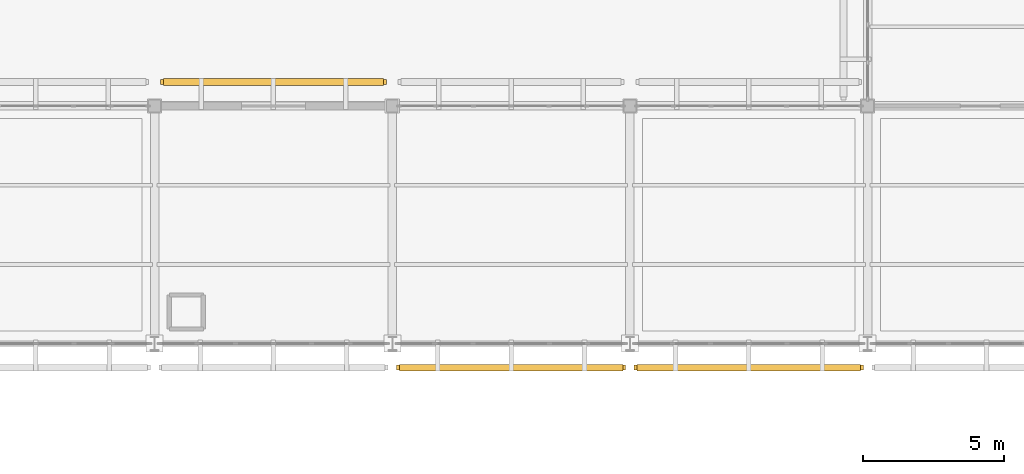
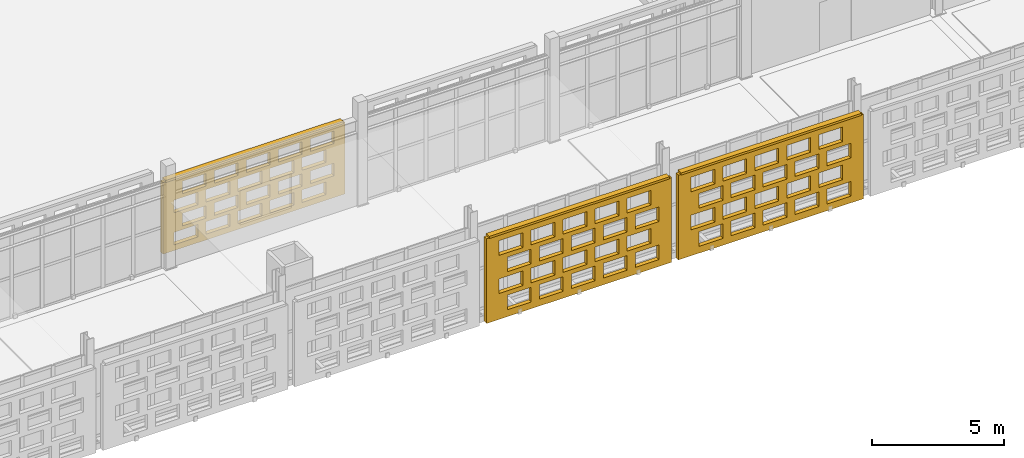
# One storey, part 173 of 203: 3 coverings, 3 shading devices, 60 openings.
"""IFC4 building model written with IfcOpenShell, lengths in metres."""

from ifc_helpers import new_model, si_unit, direction, frame, frame_2d, origin, origin_2d, place, context, subcontext, project, spatial, rectangle, extrude, material, layer, layer_set, type_object, element, save


model = new_model("IFC4")

# Units and contexts
model_context = context("Model", 3, precision=1e-05, world=origin(), true_north=direction((0.0, 1.0)))
body_context = subcontext(model_context, "Body", "Model", "MODEL_VIEW")
ifc_project = project(units=[si_unit("LENGTHUNIT", "METRE"), si_unit("AREAUNIT", "SQUARE_METRE"), si_unit("VOLUMEUNIT", "CUBIC_METRE"), si_unit("PLANEANGLEUNIT", "RADIAN"), si_unit("MASSUNIT", "GRAM", prefix="KILO")], contexts=[model_context])

# Site, building, storey
site_placement = place(None, origin())
site = spatial("IfcSite", under=ifc_project, at=site_placement, CompositionType="ELEMENT")
building_placement = place(site_placement, origin())
building = spatial("IfcBuilding", under=site, at=building_placement, Name="Varnapada Polytechnic", CompositionType="ELEMENT")
storey_placement = place(building_placement, frame((0.0, 0.0, 4.800048828125)))
storey = spatial("IfcBuildingStorey", under=building, at=storey_placement, Name="L01", CompositionType="ELEMENT", Elevation=4.800048828125)

# Covering, openings
ifc_material = material(Name="Earth-toned architectural terracotta screen block", Category="masonry")
ifc_layer_1 = layer(ifc_material, 0.1201171875)
ifc_layer_set_1 = layer_set([ifc_layer_1], Name="Earth-toned architectural terracotta screen block")
covering_type = type_object("IfcCoveringType", Name="Terracotta Screen Cladding CLD-01", PredefinedType="CLADDING", material=ifc_layer_set_1)
covering_1_placement = place(storey_placement, frame((101.010009765625, 93.25, 0.0), z_axis=(0.0, 0.0, 1.0), x_axis=(1.0, 0.0, 0.0)))
covering_1 = element("IfcCovering", 1, at=covering_1_placement, inside=storey, type_object=covering_type, Name="L01 perforated terracotta block screen (87)", PredefinedType="CLADDING", context=body_context, shape_type="SweptSolid", body=[
    extrude(rectangle(XDim=7.97998046875, YDim=0.179931640625, at=frame_2d((3.989990234375, 0.0))), origin(), (0.0, 0.0, 1.0), 3.31005859375),
])
opening_1_placement = place(covering_1_placement, frame((0.489990234375, 0.0, 0.264892578125)))
element("IfcOpeningElement", 2, at=opening_1_placement, cuts=covering_1, Name="Screen perforation TBS-L01-086.1", PredefinedType="OPENING", context=body_context, shape_type="SweptSolid", body=[
    extrude(rectangle(XDim=1.0400390625, YDim=0.5791015625, at=frame_2d((0.52001953125, 0.28955078125))), frame((0.0, 0.099853515625, 0.0), z_axis=(0.0, -1.0, 0.0), x_axis=(1.0, 0.0, 0.0)), (0.0, 0.0, 1.0), 0.199951171875),
])
opening_2_placement = place(covering_1_placement, frame((1.889892578125, 0.0, 0.264892578125)))
element("IfcOpeningElement", 3, at=opening_2_placement, cuts=covering_1, Name="Screen perforation TBS-L01-086.2", PredefinedType="OPENING", context=body_context, shape_type="SweptSolid", body=[
    extrude(rectangle(XDim=1.0400390625, YDim=0.5791015625, at=frame_2d((0.52001953125, 0.28955078125))), frame((0.0, 0.099853515625, 0.0), z_axis=(0.0, -1.0, 0.0), x_axis=(1.0, 0.0, 0.0)), (0.0, 0.0, 1.0), 0.199951171875),
])
opening_3_placement = place(covering_1_placement, frame((3.2900390625, 0.0, 0.264892578125)))
element("IfcOpeningElement", 4, at=opening_3_placement, cuts=covering_1, Name="Screen perforation TBS-L01-086.3", PredefinedType="OPENING", context=body_context, shape_type="SweptSolid", body=[
    extrude(rectangle(XDim=1.0400390625, YDim=0.5791015625, at=frame_2d((0.52001953125, 0.28955078125))), frame((0.0, 0.099853515625, 0.0), z_axis=(0.0, -1.0, 0.0), x_axis=(1.0, 0.0, 0.0)), (0.0, 0.0, 1.0), 0.199951171875),
])
opening_4_placement = place(covering_1_placement, frame((4.68994140625, 0.0, 0.264892578125)))
element("IfcOpeningElement", 5, at=opening_4_placement, cuts=covering_1, Name="Screen perforation TBS-L01-086.4", PredefinedType="OPENING", context=body_context, shape_type="SweptSolid", body=[
    extrude(rectangle(XDim=1.0400390625, YDim=0.5791015625, at=frame_2d((0.52001953125, 0.28955078125))), frame((0.0, 0.099853515625, 0.0), z_axis=(0.0, -1.0, 0.0), x_axis=(1.0, 0.0, 0.0)), (0.0, 0.0, 1.0), 0.199951171875),
])
opening_5_placement = place(covering_1_placement, frame((6.090087890625, 0.0, 0.264892578125)))
element("IfcOpeningElement", 6, at=opening_5_placement, cuts=covering_1, Name="Screen perforation TBS-L01-086.5", PredefinedType="OPENING", context=body_context, shape_type="SweptSolid", body=[
    extrude(rectangle(XDim=1.0400390625, YDim=0.5791015625, at=frame_2d((0.52001953125, 0.28955078125))), frame((0.0, 0.099853515625, 0.0), z_axis=(0.0, -1.0, 0.0), x_axis=(1.0, 0.0, 0.0)), (0.0, 0.0, 1.0), 0.199951171875),
])
opening_6_placement = place(covering_1_placement, frame((0.85009765625, 0.0, 1.009521484375)))
element("IfcOpeningElement", 7, at=opening_6_placement, cuts=covering_1, Name="Screen perforation TBS-L01-086.6", PredefinedType="OPENING", context=body_context, shape_type="SweptSolid", body=[
    extrude(rectangle(XDim=1.0400390625, YDim=0.5791015625, at=frame_2d((0.52001953125, 0.28955078125))), frame((0.0, 0.099853515625, 0.0), z_axis=(0.0, -1.0, 0.0), x_axis=(1.0, 0.0, 0.0)), (0.0, 0.0, 1.0), 0.199951171875),
])
opening_7_placement = place(covering_1_placement, frame((2.25, 0.0, 1.009521484375)))
element("IfcOpeningElement", 8, at=opening_7_placement, cuts=covering_1, Name="Screen perforation TBS-L01-086.7", PredefinedType="OPENING", context=body_context, shape_type="SweptSolid", body=[
    extrude(rectangle(XDim=1.0400390625, YDim=0.5791015625, at=frame_2d((0.52001953125, 0.28955078125))), frame((0.0, 0.099853515625, 0.0), z_axis=(0.0, -1.0, 0.0), x_axis=(1.0, 0.0, 0.0)), (0.0, 0.0, 1.0), 0.199951171875),
])
opening_8_placement = place(covering_1_placement, frame((3.64990234375, 0.0, 1.009521484375)))
element("IfcOpeningElement", 9, at=opening_8_placement, cuts=covering_1, Name="Screen perforation TBS-L01-086.8", PredefinedType="OPENING", context=body_context, shape_type="SweptSolid", body=[
    extrude(rectangle(XDim=1.0400390625, YDim=0.5791015625, at=frame_2d((0.52001953125, 0.28955078125))), frame((0.0, 0.099853515625, 0.0), z_axis=(0.0, -1.0, 0.0), x_axis=(1.0, 0.0, 0.0)), (0.0, 0.0, 1.0), 0.199951171875),
])
opening_9_placement = place(covering_1_placement, frame((5.050048828125, 0.0, 1.009521484375)))
element("IfcOpeningElement", 10, at=opening_9_placement, cuts=covering_1, Name="Screen perforation TBS-L01-086.9", PredefinedType="OPENING", context=body_context, shape_type="SweptSolid", body=[
    extrude(rectangle(XDim=1.0400390625, YDim=0.5791015625, at=frame_2d((0.52001953125, 0.28955078125))), frame((0.0, 0.099853515625, 0.0), z_axis=(0.0, -1.0, 0.0), x_axis=(1.0, 0.0, 0.0)), (0.0, 0.0, 1.0), 0.199951171875),
])
opening_10_placement = place(covering_1_placement, frame((6.449951171875, 0.0, 1.009521484375)))
element("IfcOpeningElement", 11, at=opening_10_placement, cuts=covering_1, Name="Screen perforation TBS-L01-086.10", PredefinedType="OPENING", context=body_context, shape_type="SweptSolid", body=[
    extrude(rectangle(XDim=1.0400390625, YDim=0.5791015625, at=frame_2d((0.52001953125, 0.28955078125))), frame((0.0, 0.099853515625, 0.0), z_axis=(0.0, -1.0, 0.0), x_axis=(1.0, 0.0, 0.0)), (0.0, 0.0, 1.0), 0.199951171875),
])
opening_11_placement = place(covering_1_placement, frame((0.489990234375, 0.0, 1.75439453125)))
element("IfcOpeningElement", 12, at=opening_11_placement, cuts=covering_1, Name="Screen perforation TBS-L01-086.11", PredefinedType="OPENING", context=body_context, shape_type="SweptSolid", body=[
    extrude(rectangle(XDim=1.0400390625, YDim=0.5791015625, at=frame_2d((0.52001953125, 0.28955078125))), frame((0.0, 0.099853515625, 0.0), z_axis=(0.0, -1.0, 0.0), x_axis=(1.0, 0.0, 0.0)), (0.0, 0.0, 1.0), 0.199951171875),
])
opening_12_placement = place(covering_1_placement, frame((1.889892578125, 0.0, 1.75439453125)))
element("IfcOpeningElement", 13, at=opening_12_placement, cuts=covering_1, Name="Screen perforation TBS-L01-086.12", PredefinedType="OPENING", context=body_context, shape_type="SweptSolid", body=[
    extrude(rectangle(XDim=1.0400390625, YDim=0.5791015625, at=frame_2d((0.52001953125, 0.28955078125))), frame((0.0, 0.099853515625, 0.0), z_axis=(0.0, -1.0, 0.0), x_axis=(1.0, 0.0, 0.0)), (0.0, 0.0, 1.0), 0.199951171875),
])
opening_13_placement = place(covering_1_placement, frame((3.2900390625, 0.0, 1.75439453125)))
element("IfcOpeningElement", 14, at=opening_13_placement, cuts=covering_1, Name="Screen perforation TBS-L01-086.13", PredefinedType="OPENING", context=body_context, shape_type="SweptSolid", body=[
    extrude(rectangle(XDim=1.0400390625, YDim=0.5791015625, at=frame_2d((0.52001953125, 0.28955078125))), frame((0.0, 0.099853515625, 0.0), z_axis=(0.0, -1.0, 0.0), x_axis=(1.0, 0.0, 0.0)), (0.0, 0.0, 1.0), 0.199951171875),
])
opening_14_placement = place(covering_1_placement, frame((4.68994140625, 0.0, 1.75439453125)))
element("IfcOpeningElement", 15, at=opening_14_placement, cuts=covering_1, Name="Screen perforation TBS-L01-086.14", PredefinedType="OPENING", context=body_context, shape_type="SweptSolid", body=[
    extrude(rectangle(XDim=1.0400390625, YDim=0.5791015625, at=frame_2d((0.52001953125, 0.28955078125))), frame((0.0, 0.099853515625, 0.0), z_axis=(0.0, -1.0, 0.0), x_axis=(1.0, 0.0, 0.0)), (0.0, 0.0, 1.0), 0.199951171875),
])
opening_15_placement = place(covering_1_placement, frame((6.090087890625, 0.0, 1.75439453125)))
element("IfcOpeningElement", 16, at=opening_15_placement, cuts=covering_1, Name="Screen perforation TBS-L01-086.15", PredefinedType="OPENING", context=body_context, shape_type="SweptSolid", body=[
    extrude(rectangle(XDim=1.0400390625, YDim=0.5791015625, at=frame_2d((0.52001953125, 0.28955078125))), frame((0.0, 0.099853515625, 0.0), z_axis=(0.0, -1.0, 0.0), x_axis=(1.0, 0.0, 0.0)), (0.0, 0.0, 1.0), 0.199951171875),
])
opening_16_placement = place(covering_1_placement, frame((0.85009765625, 0.0, 2.4990234375)))
element("IfcOpeningElement", 17, at=opening_16_placement, cuts=covering_1, Name="Screen perforation TBS-L01-086.16", PredefinedType="OPENING", context=body_context, shape_type="SweptSolid", body=[
    extrude(rectangle(XDim=1.0400390625, YDim=0.5791015625, at=frame_2d((0.52001953125, 0.28955078125))), frame((0.0, 0.099853515625, 0.0), z_axis=(0.0, -1.0, 0.0), x_axis=(1.0, 0.0, 0.0)), (0.0, 0.0, 1.0), 0.199951171875),
])
opening_17_placement = place(covering_1_placement, frame((2.25, 0.0, 2.4990234375)))
element("IfcOpeningElement", 18, at=opening_17_placement, cuts=covering_1, Name="Screen perforation TBS-L01-086.17", PredefinedType="OPENING", context=body_context, shape_type="SweptSolid", body=[
    extrude(rectangle(XDim=1.0400390625, YDim=0.5791015625, at=frame_2d((0.52001953125, 0.28955078125))), frame((0.0, 0.099853515625, 0.0), z_axis=(0.0, -1.0, 0.0), x_axis=(1.0, 0.0, 0.0)), (0.0, 0.0, 1.0), 0.199951171875),
])
opening_18_placement = place(covering_1_placement, frame((3.64990234375, 0.0, 2.4990234375)))
element("IfcOpeningElement", 19, at=opening_18_placement, cuts=covering_1, Name="Screen perforation TBS-L01-086.18", PredefinedType="OPENING", context=body_context, shape_type="SweptSolid", body=[
    extrude(rectangle(XDim=1.0400390625, YDim=0.5791015625, at=frame_2d((0.52001953125, 0.28955078125))), frame((0.0, 0.099853515625, 0.0), z_axis=(0.0, -1.0, 0.0), x_axis=(1.0, 0.0, 0.0)), (0.0, 0.0, 1.0), 0.199951171875),
])
opening_19_placement = place(covering_1_placement, frame((5.050048828125, 0.0, 2.4990234375)))
element("IfcOpeningElement", 20, at=opening_19_placement, cuts=covering_1, Name="Screen perforation TBS-L01-086.19", PredefinedType="OPENING", context=body_context, shape_type="SweptSolid", body=[
    extrude(rectangle(XDim=1.0400390625, YDim=0.5791015625, at=frame_2d((0.52001953125, 0.28955078125))), frame((0.0, 0.099853515625, 0.0), z_axis=(0.0, -1.0, 0.0), x_axis=(1.0, 0.0, 0.0)), (0.0, 0.0, 1.0), 0.199951171875),
])
opening_20_placement = place(covering_1_placement, frame((6.449951171875, 0.0, 2.4990234375)))
element("IfcOpeningElement", 21, at=opening_20_placement, cuts=covering_1, Name="Screen perforation TBS-L01-086.20", PredefinedType="OPENING", context=body_context, shape_type="SweptSolid", body=[
    extrude(rectangle(XDim=1.0400390625, YDim=0.5791015625, at=frame_2d((0.52001953125, 0.28955078125))), frame((0.0, 0.099853515625, 0.0), z_axis=(0.0, -1.0, 0.0), x_axis=(1.0, 0.0, 0.0)), (0.0, 0.0, 1.0), 0.199951171875),
])

covering_2_placement = place(storey_placement, frame((117.449951171875, 83.14990234375, 0.0), z_axis=(0.0, 0.0, 1.0), x_axis=(-1.0, 0.0, 0.0)))
covering_2 = element("IfcCovering", 22, at=covering_2_placement, inside=storey, type_object=covering_type, Name="L01 perforated terracotta block screen (92)", PredefinedType="CLADDING", context=body_context, shape_type="SweptSolid", body=[
    extrude(rectangle(XDim=8.099853515625, YDim=0.179931640625, at=frame_2d((4.0498046875, 0.0))), origin(), (0.0, 0.0, 1.0), 3.919921875),
])
opening_21_placement = place(covering_2_placement, frame((0.550048828125, 0.0, 0.313720703125)))
element("IfcOpeningElement", 23, at=opening_21_placement, cuts=covering_2, Name="Screen perforation TBS-L01-091.1", PredefinedType="OPENING", context=body_context, shape_type="SweptSolid", body=[
    extrude(rectangle(XDim=1.0400390625, YDim=0.679931640625, at=frame_2d((0.52001953125, 0.33984375))), frame((0.0, 0.099853515625, 0.0), z_axis=(0.0, -1.0, 0.0), x_axis=(1.0, 0.0, 0.0)), (0.0, 0.0, 1.0), 0.199951171875),
])
opening_22_placement = place(covering_2_placement, frame((1.949951171875, 0.0, 0.313720703125)))
element("IfcOpeningElement", 24, at=opening_22_placement, cuts=covering_2, Name="Screen perforation TBS-L01-091.2", PredefinedType="OPENING", context=body_context, shape_type="SweptSolid", body=[
    extrude(rectangle(XDim=1.0400390625, YDim=0.679931640625, at=frame_2d((0.52001953125, 0.33984375))), frame((0.0, 0.099853515625, 0.0), z_axis=(0.0, -1.0, 0.0), x_axis=(1.0, 0.0, 0.0)), (0.0, 0.0, 1.0), 0.199951171875),
])
opening_23_placement = place(covering_2_placement, frame((3.35009765625, 0.0, 0.313720703125)))
element("IfcOpeningElement", 25, at=opening_23_placement, cuts=covering_2, Name="Screen perforation TBS-L01-091.3", PredefinedType="OPENING", context=body_context, shape_type="SweptSolid", body=[
    extrude(rectangle(XDim=1.0400390625, YDim=0.679931640625, at=frame_2d((0.52001953125, 0.33984375))), frame((0.0, 0.099853515625, 0.0), z_axis=(0.0, -1.0, 0.0), x_axis=(1.0, 0.0, 0.0)), (0.0, 0.0, 1.0), 0.199951171875),
])
opening_24_placement = place(covering_2_placement, frame((4.75, 0.0, 0.313720703125)))
element("IfcOpeningElement", 26, at=opening_24_placement, cuts=covering_2, Name="Screen perforation TBS-L01-091.4", PredefinedType="OPENING", context=body_context, shape_type="SweptSolid", body=[
    extrude(rectangle(XDim=1.0400390625, YDim=0.679931640625, at=frame_2d((0.52001953125, 0.33984375))), frame((0.0, 0.099853515625, 0.0), z_axis=(0.0, -1.0, 0.0), x_axis=(1.0, 0.0, 0.0)), (0.0, 0.0, 1.0), 0.199951171875),
])
opening_25_placement = place(covering_2_placement, frame((6.14990234375, 0.0, 0.313720703125)))
element("IfcOpeningElement", 27, at=opening_25_placement, cuts=covering_2, Name="Screen perforation TBS-L01-091.5", PredefinedType="OPENING", context=body_context, shape_type="SweptSolid", body=[
    extrude(rectangle(XDim=1.0400390625, YDim=0.679931640625, at=frame_2d((0.52001953125, 0.33984375))), frame((0.0, 0.099853515625, 0.0), z_axis=(0.0, -1.0, 0.0), x_axis=(1.0, 0.0, 0.0)), (0.0, 0.0, 1.0), 0.199951171875),
])
opening_26_placement = place(covering_2_placement, frame((0.909912109375, 0.0, 1.195556640625)))
element("IfcOpeningElement", 28, at=opening_26_placement, cuts=covering_2, Name="Screen perforation TBS-L01-091.6", PredefinedType="OPENING", context=body_context, shape_type="SweptSolid", body=[
    extrude(rectangle(XDim=1.0400390625, YDim=0.679931640625, at=frame_2d((0.52001953125, 0.33984375))), frame((0.0, 0.099853515625, 0.0), z_axis=(0.0, -1.0, 0.0), x_axis=(1.0, 0.0, 0.0)), (0.0, 0.0, 1.0), 0.199951171875),
])
opening_27_placement = place(covering_2_placement, frame((2.31005859375, 0.0, 1.195556640625)))
element("IfcOpeningElement", 29, at=opening_27_placement, cuts=covering_2, Name="Screen perforation TBS-L01-091.7", PredefinedType="OPENING", context=body_context, shape_type="SweptSolid", body=[
    extrude(rectangle(XDim=1.0400390625, YDim=0.679931640625, at=frame_2d((0.52001953125, 0.33984375))), frame((0.0, 0.099853515625, 0.0), z_axis=(0.0, -1.0, 0.0), x_axis=(1.0, 0.0, 0.0)), (0.0, 0.0, 1.0), 0.199951171875),
])
opening_28_placement = place(covering_2_placement, frame((3.7099609375, 0.0, 1.195556640625)))
element("IfcOpeningElement", 30, at=opening_28_placement, cuts=covering_2, Name="Screen perforation TBS-L01-091.8", PredefinedType="OPENING", context=body_context, shape_type="SweptSolid", body=[
    extrude(rectangle(XDim=1.0400390625, YDim=0.679931640625, at=frame_2d((0.52001953125, 0.33984375))), frame((0.0, 0.099853515625, 0.0), z_axis=(0.0, -1.0, 0.0), x_axis=(1.0, 0.0, 0.0)), (0.0, 0.0, 1.0), 0.199951171875),
])
opening_29_placement = place(covering_2_placement, frame((5.110107421875, 0.0, 1.195556640625)))
element("IfcOpeningElement", 31, at=opening_29_placement, cuts=covering_2, Name="Screen perforation TBS-L01-091.9", PredefinedType="OPENING", context=body_context, shape_type="SweptSolid", body=[
    extrude(rectangle(XDim=1.0400390625, YDim=0.679931640625, at=frame_2d((0.52001953125, 0.33984375))), frame((0.0, 0.099853515625, 0.0), z_axis=(0.0, -1.0, 0.0), x_axis=(1.0, 0.0, 0.0)), (0.0, 0.0, 1.0), 0.199951171875),
])
opening_30_placement = place(covering_2_placement, frame((6.510009765625, 0.0, 1.195556640625)))
element("IfcOpeningElement", 32, at=opening_30_placement, cuts=covering_2, Name="Screen perforation TBS-L01-091.10", PredefinedType="OPENING", context=body_context, shape_type="SweptSolid", body=[
    extrude(rectangle(XDim=1.0400390625, YDim=0.679931640625, at=frame_2d((0.52001953125, 0.33984375))), frame((0.0, 0.099853515625, 0.0), z_axis=(0.0, -1.0, 0.0), x_axis=(1.0, 0.0, 0.0)), (0.0, 0.0, 1.0), 0.199951171875),
])
opening_31_placement = place(covering_2_placement, frame((0.550048828125, 0.0, 2.07763671875)))
element("IfcOpeningElement", 33, at=opening_31_placement, cuts=covering_2, Name="Screen perforation TBS-L01-091.11", PredefinedType="OPENING", context=body_context, shape_type="SweptSolid", body=[
    extrude(rectangle(XDim=1.0400390625, YDim=0.679931640625, at=frame_2d((0.52001953125, 0.33984375))), frame((0.0, 0.099853515625, 0.0), z_axis=(0.0, -1.0, 0.0), x_axis=(1.0, 0.0, 0.0)), (0.0, 0.0, 1.0), 0.199951171875),
])
opening_32_placement = place(covering_2_placement, frame((1.949951171875, 0.0, 2.07763671875)))
element("IfcOpeningElement", 34, at=opening_32_placement, cuts=covering_2, Name="Screen perforation TBS-L01-091.12", PredefinedType="OPENING", context=body_context, shape_type="SweptSolid", body=[
    extrude(rectangle(XDim=1.0400390625, YDim=0.679931640625, at=frame_2d((0.52001953125, 0.33984375))), frame((0.0, 0.099853515625, 0.0), z_axis=(0.0, -1.0, 0.0), x_axis=(1.0, 0.0, 0.0)), (0.0, 0.0, 1.0), 0.199951171875),
])
opening_33_placement = place(covering_2_placement, frame((3.35009765625, 0.0, 2.07763671875)))
element("IfcOpeningElement", 35, at=opening_33_placement, cuts=covering_2, Name="Screen perforation TBS-L01-091.13", PredefinedType="OPENING", context=body_context, shape_type="SweptSolid", body=[
    extrude(rectangle(XDim=1.0400390625, YDim=0.679931640625, at=frame_2d((0.52001953125, 0.33984375))), frame((0.0, 0.099853515625, 0.0), z_axis=(0.0, -1.0, 0.0), x_axis=(1.0, 0.0, 0.0)), (0.0, 0.0, 1.0), 0.199951171875),
])
opening_34_placement = place(covering_2_placement, frame((4.75, 0.0, 2.07763671875)))
element("IfcOpeningElement", 36, at=opening_34_placement, cuts=covering_2, Name="Screen perforation TBS-L01-091.14", PredefinedType="OPENING", context=body_context, shape_type="SweptSolid", body=[
    extrude(rectangle(XDim=1.0400390625, YDim=0.679931640625, at=frame_2d((0.52001953125, 0.33984375))), frame((0.0, 0.099853515625, 0.0), z_axis=(0.0, -1.0, 0.0), x_axis=(1.0, 0.0, 0.0)), (0.0, 0.0, 1.0), 0.199951171875),
])
opening_35_placement = place(covering_2_placement, frame((6.14990234375, 0.0, 2.07763671875)))
element("IfcOpeningElement", 37, at=opening_35_placement, cuts=covering_2, Name="Screen perforation TBS-L01-091.15", PredefinedType="OPENING", context=body_context, shape_type="SweptSolid", body=[
    extrude(rectangle(XDim=1.0400390625, YDim=0.679931640625, at=frame_2d((0.52001953125, 0.33984375))), frame((0.0, 0.099853515625, 0.0), z_axis=(0.0, -1.0, 0.0), x_axis=(1.0, 0.0, 0.0)), (0.0, 0.0, 1.0), 0.199951171875),
])
opening_36_placement = place(covering_2_placement, frame((0.909912109375, 0.0, 2.959716796875)))
element("IfcOpeningElement", 38, at=opening_36_placement, cuts=covering_2, Name="Screen perforation TBS-L01-091.16", PredefinedType="OPENING", context=body_context, shape_type="SweptSolid", body=[
    extrude(rectangle(XDim=1.0400390625, YDim=0.679931640625, at=frame_2d((0.52001953125, 0.33984375))), frame((0.0, 0.099853515625, 0.0), z_axis=(0.0, -1.0, 0.0), x_axis=(1.0, 0.0, 0.0)), (0.0, 0.0, 1.0), 0.199951171875),
])
opening_37_placement = place(covering_2_placement, frame((2.31005859375, 0.0, 2.959716796875)))
element("IfcOpeningElement", 39, at=opening_37_placement, cuts=covering_2, Name="Screen perforation TBS-L01-091.17", PredefinedType="OPENING", context=body_context, shape_type="SweptSolid", body=[
    extrude(rectangle(XDim=1.0400390625, YDim=0.679931640625, at=frame_2d((0.52001953125, 0.33984375))), frame((0.0, 0.099853515625, 0.0), z_axis=(0.0, -1.0, 0.0), x_axis=(1.0, 0.0, 0.0)), (0.0, 0.0, 1.0), 0.199951171875),
])
opening_38_placement = place(covering_2_placement, frame((3.7099609375, 0.0, 2.959716796875)))
element("IfcOpeningElement", 40, at=opening_38_placement, cuts=covering_2, Name="Screen perforation TBS-L01-091.18", PredefinedType="OPENING", context=body_context, shape_type="SweptSolid", body=[
    extrude(rectangle(XDim=1.0400390625, YDim=0.679931640625, at=frame_2d((0.52001953125, 0.33984375))), frame((0.0, 0.099853515625, 0.0), z_axis=(0.0, -1.0, 0.0), x_axis=(1.0, 0.0, 0.0)), (0.0, 0.0, 1.0), 0.199951171875),
])
opening_39_placement = place(covering_2_placement, frame((5.110107421875, 0.0, 2.959716796875)))
element("IfcOpeningElement", 41, at=opening_39_placement, cuts=covering_2, Name="Screen perforation TBS-L01-091.19", PredefinedType="OPENING", context=body_context, shape_type="SweptSolid", body=[
    extrude(rectangle(XDim=1.0400390625, YDim=0.679931640625, at=frame_2d((0.52001953125, 0.33984375))), frame((0.0, 0.099853515625, 0.0), z_axis=(0.0, -1.0, 0.0), x_axis=(1.0, 0.0, 0.0)), (0.0, 0.0, 1.0), 0.199951171875),
])
opening_40_placement = place(covering_2_placement, frame((6.510009765625, 0.0, 2.959716796875)))
element("IfcOpeningElement", 42, at=opening_40_placement, cuts=covering_2, Name="Screen perforation TBS-L01-091.20", PredefinedType="OPENING", context=body_context, shape_type="SweptSolid", body=[
    extrude(rectangle(XDim=1.0400390625, YDim=0.679931640625, at=frame_2d((0.52001953125, 0.33984375))), frame((0.0, 0.099853515625, 0.0), z_axis=(0.0, -1.0, 0.0), x_axis=(1.0, 0.0, 0.0)), (0.0, 0.0, 1.0), 0.199951171875),
])

covering_3_placement = place(storey_placement, frame((125.85009765625, 83.14990234375, 0.0), z_axis=(0.0, 0.0, 1.0), x_axis=(-1.0, 0.0, 0.0)))
covering_3 = element("IfcCovering", 43, at=covering_3_placement, inside=storey, type_object=covering_type, Name="L01 perforated terracotta block screen (98)", PredefinedType="CLADDING", context=body_context, shape_type="SweptSolid", body=[
    extrude(rectangle(XDim=8.10009765625, YDim=0.179931640625, at=frame_2d((4.050048828125, 0.0))), origin(), (0.0, 0.0, 1.0), 3.919921875),
])
opening_41_placement = place(covering_3_placement, frame((0.550048828125, 0.0, 0.313720703125)))
element("IfcOpeningElement", 44, at=opening_41_placement, cuts=covering_3, Name="Screen perforation TBS-L01-097.1", PredefinedType="OPENING", context=body_context, shape_type="SweptSolid", body=[
    extrude(rectangle(XDim=1.0400390625, YDim=0.679931640625, at=frame_2d((0.52001953125, 0.33984375))), frame((0.0, 0.099853515625, 0.0), z_axis=(0.0, -1.0, 0.0), x_axis=(1.0, 0.0, 0.0)), (0.0, 0.0, 1.0), 0.199951171875),
])
opening_42_placement = place(covering_3_placement, frame((1.949951171875, 0.0, 0.313720703125)))
element("IfcOpeningElement", 45, at=opening_42_placement, cuts=covering_3, Name="Screen perforation TBS-L01-097.2", PredefinedType="OPENING", context=body_context, shape_type="SweptSolid", body=[
    extrude(rectangle(XDim=1.0400390625, YDim=0.679931640625, at=frame_2d((0.52001953125, 0.33984375))), frame((0.0, 0.099853515625, 0.0), z_axis=(0.0, -1.0, 0.0), x_axis=(1.0, 0.0, 0.0)), (0.0, 0.0, 1.0), 0.199951171875),
])
opening_43_placement = place(covering_3_placement, frame((3.35009765625, 0.0, 0.313720703125)))
element("IfcOpeningElement", 46, at=opening_43_placement, cuts=covering_3, Name="Screen perforation TBS-L01-097.3", PredefinedType="OPENING", context=body_context, shape_type="SweptSolid", body=[
    extrude(rectangle(XDim=1.0400390625, YDim=0.679931640625, at=frame_2d((0.52001953125, 0.33984375))), frame((0.0, 0.099853515625, 0.0), z_axis=(0.0, -1.0, 0.0), x_axis=(1.0, 0.0, 0.0)), (0.0, 0.0, 1.0), 0.199951171875),
])
opening_44_placement = place(covering_3_placement, frame((4.75, 0.0, 0.313720703125)))
element("IfcOpeningElement", 47, at=opening_44_placement, cuts=covering_3, Name="Screen perforation TBS-L01-097.4", PredefinedType="OPENING", context=body_context, shape_type="SweptSolid", body=[
    extrude(rectangle(XDim=1.0400390625, YDim=0.679931640625, at=frame_2d((0.52001953125, 0.33984375))), frame((0.0, 0.099853515625, 0.0), z_axis=(0.0, -1.0, 0.0), x_axis=(1.0, 0.0, 0.0)), (0.0, 0.0, 1.0), 0.199951171875),
])
opening_45_placement = place(covering_3_placement, frame((6.14990234375, 0.0, 0.313720703125)))
element("IfcOpeningElement", 48, at=opening_45_placement, cuts=covering_3, Name="Screen perforation TBS-L01-097.5", PredefinedType="OPENING", context=body_context, shape_type="SweptSolid", body=[
    extrude(rectangle(XDim=1.0400390625, YDim=0.679931640625, at=frame_2d((0.52001953125, 0.33984375))), frame((0.0, 0.099853515625, 0.0), z_axis=(0.0, -1.0, 0.0), x_axis=(1.0, 0.0, 0.0)), (0.0, 0.0, 1.0), 0.199951171875),
])
opening_46_placement = place(covering_3_placement, frame((0.909912109375, 0.0, 1.195556640625)))
element("IfcOpeningElement", 49, at=opening_46_placement, cuts=covering_3, Name="Screen perforation TBS-L01-097.6", PredefinedType="OPENING", context=body_context, shape_type="SweptSolid", body=[
    extrude(rectangle(XDim=1.0400390625, YDim=0.679931640625, at=frame_2d((0.52001953125, 0.33984375))), frame((0.0, 0.099853515625, 0.0), z_axis=(0.0, -1.0, 0.0), x_axis=(1.0, 0.0, 0.0)), (0.0, 0.0, 1.0), 0.199951171875),
])
opening_47_placement = place(covering_3_placement, frame((2.31005859375, 0.0, 1.195556640625)))
element("IfcOpeningElement", 50, at=opening_47_placement, cuts=covering_3, Name="Screen perforation TBS-L01-097.7", PredefinedType="OPENING", context=body_context, shape_type="SweptSolid", body=[
    extrude(rectangle(XDim=1.0400390625, YDim=0.679931640625, at=frame_2d((0.52001953125, 0.33984375))), frame((0.0, 0.099853515625, 0.0), z_axis=(0.0, -1.0, 0.0), x_axis=(1.0, 0.0, 0.0)), (0.0, 0.0, 1.0), 0.199951171875),
])
opening_48_placement = place(covering_3_placement, frame((3.7099609375, 0.0, 1.195556640625)))
element("IfcOpeningElement", 51, at=opening_48_placement, cuts=covering_3, Name="Screen perforation TBS-L01-097.8", PredefinedType="OPENING", context=body_context, shape_type="SweptSolid", body=[
    extrude(rectangle(XDim=1.0400390625, YDim=0.679931640625, at=frame_2d((0.52001953125, 0.33984375))), frame((0.0, 0.099853515625, 0.0), z_axis=(0.0, -1.0, 0.0), x_axis=(1.0, 0.0, 0.0)), (0.0, 0.0, 1.0), 0.199951171875),
])
opening_49_placement = place(covering_3_placement, frame((5.110107421875, 0.0, 1.195556640625)))
element("IfcOpeningElement", 52, at=opening_49_placement, cuts=covering_3, Name="Screen perforation TBS-L01-097.9", PredefinedType="OPENING", context=body_context, shape_type="SweptSolid", body=[
    extrude(rectangle(XDim=1.0400390625, YDim=0.679931640625, at=frame_2d((0.52001953125, 0.33984375))), frame((0.0, 0.099853515625, 0.0), z_axis=(0.0, -1.0, 0.0), x_axis=(1.0, 0.0, 0.0)), (0.0, 0.0, 1.0), 0.199951171875),
])
opening_50_placement = place(covering_3_placement, frame((6.510009765625, 0.0, 1.195556640625)))
element("IfcOpeningElement", 53, at=opening_50_placement, cuts=covering_3, Name="Screen perforation TBS-L01-097.10", PredefinedType="OPENING", context=body_context, shape_type="SweptSolid", body=[
    extrude(rectangle(XDim=1.0400390625, YDim=0.679931640625, at=frame_2d((0.52001953125, 0.33984375))), frame((0.0, 0.099853515625, 0.0), z_axis=(0.0, -1.0, 0.0), x_axis=(1.0, 0.0, 0.0)), (0.0, 0.0, 1.0), 0.199951171875),
])
opening_51_placement = place(covering_3_placement, frame((0.550048828125, 0.0, 2.07763671875)))
element("IfcOpeningElement", 54, at=opening_51_placement, cuts=covering_3, Name="Screen perforation TBS-L01-097.11", PredefinedType="OPENING", context=body_context, shape_type="SweptSolid", body=[
    extrude(rectangle(XDim=1.0400390625, YDim=0.679931640625, at=frame_2d((0.52001953125, 0.33984375))), frame((0.0, 0.099853515625, 0.0), z_axis=(0.0, -1.0, 0.0), x_axis=(1.0, 0.0, 0.0)), (0.0, 0.0, 1.0), 0.199951171875),
])
opening_52_placement = place(covering_3_placement, frame((1.949951171875, 0.0, 2.07763671875)))
element("IfcOpeningElement", 55, at=opening_52_placement, cuts=covering_3, Name="Screen perforation TBS-L01-097.12", PredefinedType="OPENING", context=body_context, shape_type="SweptSolid", body=[
    extrude(rectangle(XDim=1.0400390625, YDim=0.679931640625, at=frame_2d((0.52001953125, 0.33984375))), frame((0.0, 0.099853515625, 0.0), z_axis=(0.0, -1.0, 0.0), x_axis=(1.0, 0.0, 0.0)), (0.0, 0.0, 1.0), 0.199951171875),
])
opening_53_placement = place(covering_3_placement, frame((3.35009765625, 0.0, 2.07763671875)))
element("IfcOpeningElement", 56, at=opening_53_placement, cuts=covering_3, Name="Screen perforation TBS-L01-097.13", PredefinedType="OPENING", context=body_context, shape_type="SweptSolid", body=[
    extrude(rectangle(XDim=1.0400390625, YDim=0.679931640625, at=frame_2d((0.52001953125, 0.33984375))), frame((0.0, 0.099853515625, 0.0), z_axis=(0.0, -1.0, 0.0), x_axis=(1.0, 0.0, 0.0)), (0.0, 0.0, 1.0), 0.199951171875),
])
opening_54_placement = place(covering_3_placement, frame((4.75, 0.0, 2.07763671875)))
element("IfcOpeningElement", 57, at=opening_54_placement, cuts=covering_3, Name="Screen perforation TBS-L01-097.14", PredefinedType="OPENING", context=body_context, shape_type="SweptSolid", body=[
    extrude(rectangle(XDim=1.0400390625, YDim=0.679931640625, at=frame_2d((0.52001953125, 0.33984375))), frame((0.0, 0.099853515625, 0.0), z_axis=(0.0, -1.0, 0.0), x_axis=(1.0, 0.0, 0.0)), (0.0, 0.0, 1.0), 0.199951171875),
])
opening_55_placement = place(covering_3_placement, frame((6.14990234375, 0.0, 2.07763671875)))
element("IfcOpeningElement", 58, at=opening_55_placement, cuts=covering_3, Name="Screen perforation TBS-L01-097.15", PredefinedType="OPENING", context=body_context, shape_type="SweptSolid", body=[
    extrude(rectangle(XDim=1.0400390625, YDim=0.679931640625, at=frame_2d((0.52001953125, 0.33984375))), frame((0.0, 0.099853515625, 0.0), z_axis=(0.0, -1.0, 0.0), x_axis=(1.0, 0.0, 0.0)), (0.0, 0.0, 1.0), 0.199951171875),
])
opening_56_placement = place(covering_3_placement, frame((0.909912109375, 0.0, 2.959716796875)))
element("IfcOpeningElement", 59, at=opening_56_placement, cuts=covering_3, Name="Screen perforation TBS-L01-097.16", PredefinedType="OPENING", context=body_context, shape_type="SweptSolid", body=[
    extrude(rectangle(XDim=1.0400390625, YDim=0.679931640625, at=frame_2d((0.52001953125, 0.33984375))), frame((0.0, 0.099853515625, 0.0), z_axis=(0.0, -1.0, 0.0), x_axis=(1.0, 0.0, 0.0)), (0.0, 0.0, 1.0), 0.199951171875),
])
opening_57_placement = place(covering_3_placement, frame((2.31005859375, 0.0, 2.959716796875)))
element("IfcOpeningElement", 60, at=opening_57_placement, cuts=covering_3, Name="Screen perforation TBS-L01-097.17", PredefinedType="OPENING", context=body_context, shape_type="SweptSolid", body=[
    extrude(rectangle(XDim=1.0400390625, YDim=0.679931640625, at=frame_2d((0.52001953125, 0.33984375))), frame((0.0, 0.099853515625, 0.0), z_axis=(0.0, -1.0, 0.0), x_axis=(1.0, 0.0, 0.0)), (0.0, 0.0, 1.0), 0.199951171875),
])
opening_58_placement = place(covering_3_placement, frame((3.7099609375, 0.0, 2.959716796875)))
element("IfcOpeningElement", 61, at=opening_58_placement, cuts=covering_3, Name="Screen perforation TBS-L01-097.18", PredefinedType="OPENING", context=body_context, shape_type="SweptSolid", body=[
    extrude(rectangle(XDim=1.0400390625, YDim=0.679931640625, at=frame_2d((0.52001953125, 0.33984375))), frame((0.0, 0.099853515625, 0.0), z_axis=(0.0, -1.0, 0.0), x_axis=(1.0, 0.0, 0.0)), (0.0, 0.0, 1.0), 0.199951171875),
])
opening_59_placement = place(covering_3_placement, frame((5.110107421875, 0.0, 2.959716796875)))
element("IfcOpeningElement", 62, at=opening_59_placement, cuts=covering_3, Name="Screen perforation TBS-L01-097.19", PredefinedType="OPENING", context=body_context, shape_type="SweptSolid", body=[
    extrude(rectangle(XDim=1.0400390625, YDim=0.679931640625, at=frame_2d((0.52001953125, 0.33984375))), frame((0.0, 0.099853515625, 0.0), z_axis=(0.0, -1.0, 0.0), x_axis=(1.0, 0.0, 0.0)), (0.0, 0.0, 1.0), 0.199951171875),
])
opening_60_placement = place(covering_3_placement, frame((6.510009765625, 0.0, 2.959716796875)))
element("IfcOpeningElement", 63, at=opening_60_placement, cuts=covering_3, Name="Screen perforation TBS-L01-097.20", PredefinedType="OPENING", context=body_context, shape_type="SweptSolid", body=[
    extrude(rectangle(XDim=1.0400390625, YDim=0.679931640625, at=frame_2d((0.52001953125, 0.33984375))), frame((0.0, 0.099853515625, 0.0), z_axis=(0.0, -1.0, 0.0), x_axis=(1.0, 0.0, 0.0)), (0.0, 0.0, 1.0), 0.199951171875),
])

# Shading devices
ifc_layer_2 = layer(ifc_material, 0.179931640625)
ifc_layer_set_2 = layer_set([ifc_layer_2], Name="Earth-toned architectural terracotta screen block")
shading_device_type = type_object("IfcShadingDeviceType", Name="Terracotta Screen SCR-02", PredefinedType="USERDEFINED", material=ifc_layer_set_2)
shading_device_placement = place(storey_placement, frame((105.0, 93.25, 3.2998046875), z_axis=(0.0, 0.0, 1.0), x_axis=(1.0, 0.0, 0.0)))
element("IfcShadingDevice", 64, at=shading_device_placement, inside=storey, type_object=shading_device_type, Name="L01 perforated terracotta screen hood 166", ObjectType="SCREEN", PredefinedType="USERDEFINED", context=body_context, shape_type="SweptSolid", body=[
    extrude(rectangle(XDim=7.780029296875, YDim=0.239990234375, at=origin_2d()), origin(), (0.0, 0.0, 1.0), 0.10009765625),
])
for number, where, z_axis, x_axis, name in (
    (65, (113.39990234375, 83.14990234375, 3.909912109375), (0.0, 0.0, 1.0), (-1.0, 0.0, 0.0), "L01 perforated terracotta screen hood 171"),
    (66, (121.800048828125, 83.14990234375, 3.909912109375), (0.0, 0.0, 1.0), (-1.0, 0.0, 0.0), "L01 perforated terracotta screen hood 177"),
):
    element("IfcShadingDevice", number, at=place(storey_placement, frame(where, z_axis=z_axis, x_axis=x_axis)), inside=storey, type_object=shading_device_type, Name=name, ObjectType="SCREEN", PredefinedType="USERDEFINED", context=body_context, shape_type="SweptSolid", body=[
        extrude(rectangle(XDim=7.89990234375, YDim=0.239990234375, at=origin_2d()), origin(), (0.0, 0.0, 1.0), 0.10009765625),
    ])

save(model, "model.ifc")
